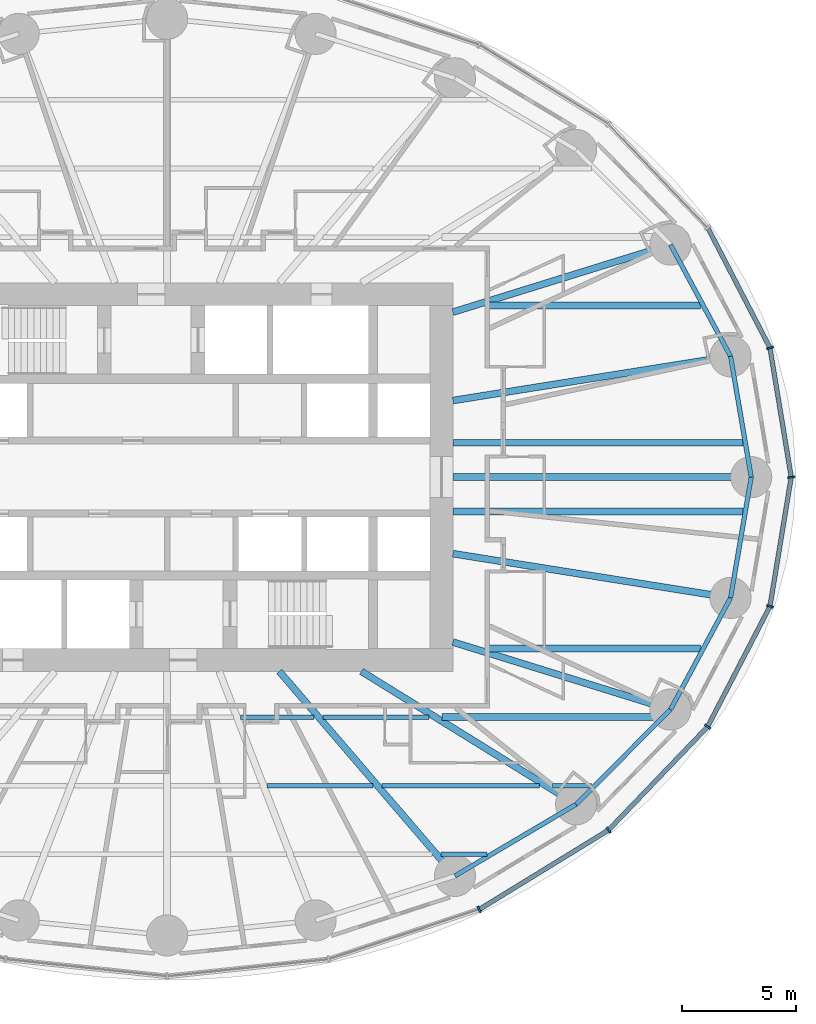
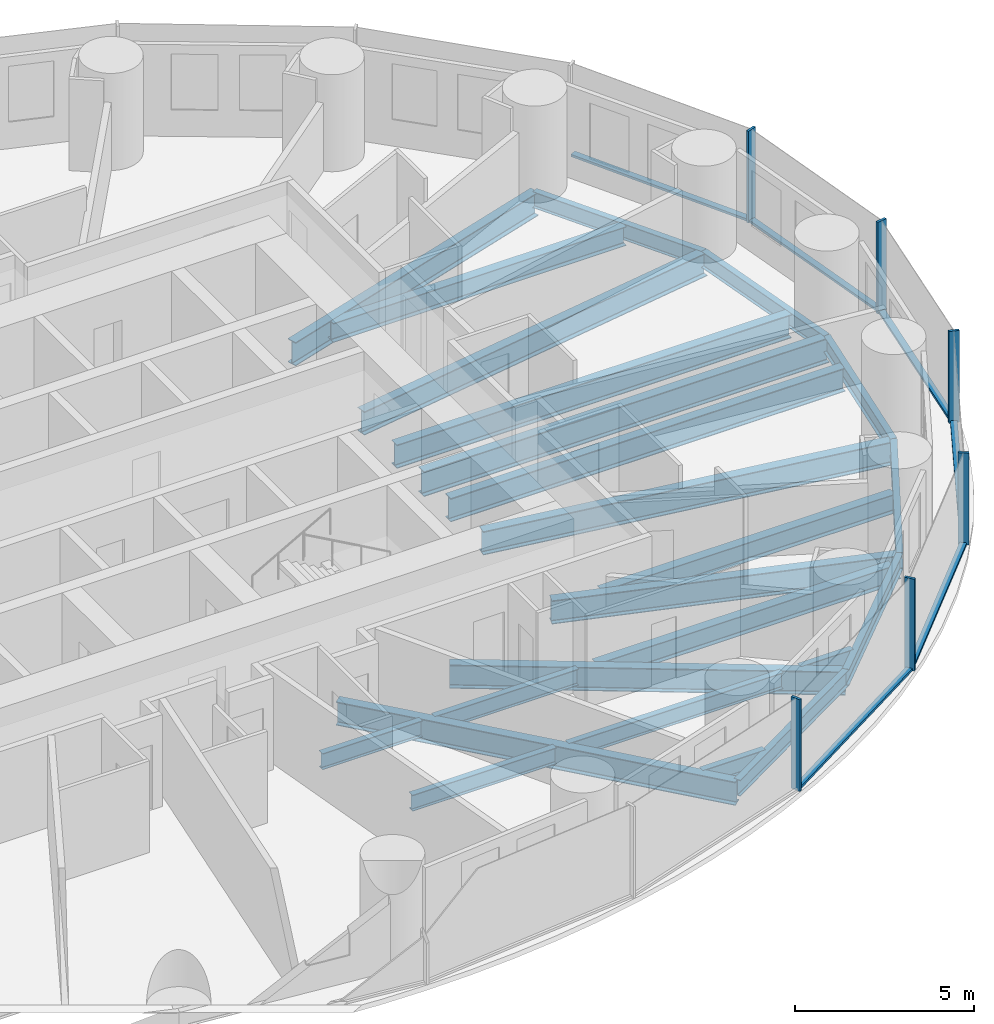
# One storey, part 3 of 14: 24 beams, 12 members, 2 elements without a shape of their own.
"""IFC4 building model written with IfcOpenShell, lengths in metres."""

from ifc_helpers import new_model, si_unit, direction, frame, origin, origin_2d, place, context, subcontext, project, spatial, rectangle, i_section, extrude, material, material_profile, profile_set, type_object, element, aggregate, save


model = new_model("IFC4")

# Units and contexts
model_context = context("Model", 3, precision=1e-05, world=origin(), true_north=direction((0.0, 1.0)))
body_context = subcontext(model_context, "Body", "Model", "MODEL_VIEW")
ifc_project = project(units=[si_unit("LENGTHUNIT", "METRE"), si_unit("AREAUNIT", "SQUARE_METRE"), si_unit("VOLUMEUNIT", "CUBIC_METRE"), si_unit("PLANEANGLEUNIT", "RADIAN"), si_unit("MASSUNIT", "GRAM", prefix="KILO")], contexts=[model_context])

# Site, building, storey
site_placement = place(None, origin())
site = spatial("IfcSite", under=ifc_project, at=site_placement, CompositionType="ELEMENT")
building_placement = place(site_placement, origin())
building = spatial("IfcBuilding", under=site, at=building_placement, Name="Hankou Lantern Tower", CompositionType="ELEMENT")
storey_placement = place(building_placement, frame((0.0, 0.0, 32.699951171875)))
storey = spatial("IfcBuildingStorey", under=building, at=storey_placement, Name="L06", CompositionType="ELEMENT", Elevation=32.699951171875)

# Beams
ifc_material_1 = material(Name="Steel Q355B", Category="steel")
ifc_material_profile_1 = material_profile(ifc_material_1, i_section(OverallWidth=0.199951171875, OverallDepth=0.550048828125, WebThickness=0.010009765625, FlangeThickness=0.01611328125, FilletRadius=0.012939453125, at=origin_2d()), Name="HN550x200x10x16")
ifc_profile_set_1 = profile_set([ifc_material_profile_1], Name="Steel Q355B")
beam_type_1 = type_object("IfcBeamType", Name="EB6 RING BEAM HN550x200x10x16", PredefinedType="SPANDREL", material=ifc_profile_set_1)
beam_1_placement = place(storey_placement, frame((25.550048828125, 0.0, -0.454833984375), z_axis=(-0.168489691988, 0.985703415685, 0.0), x_axis=(-0.985703415685, -0.168489691988, 0.0)))
element("IfcBeam", 1, at=beam_1_placement, inside=storey, type_object=beam_type_1, Name="Ring beam R01-R02 L06", PredefinedType="SPANDREL", context=body_context, shape_type="SweptSolid", body=[
    extrude(i_section(OverallWidth=0.199951171875, OverallDepth=0.550048828125, WebThickness=0.010009765625, FlangeThickness=0.01611328125, FilletRadius=0.012939453125, at=origin_2d()), origin(), (0.0, 0.0, 1.0), 5.35986328125),
])
beam_2_placement = place(storey_placement, frame((24.64697265625, 5.283203125, -0.454833984375), z_axis=(-0.473609096023, 0.880735161194, 0.0), x_axis=(-0.880735161194, -0.473609096023, 0.0)))
element("IfcBeam", 2, at=beam_2_placement, inside=storey, type_object=beam_type_1, Name="Ring beam R02-R03 L06", PredefinedType="SPANDREL", context=body_context, shape_type="SweptSolid", body=[
    extrude(i_section(OverallWidth=0.199951171875, OverallDepth=0.550048828125, WebThickness=0.010009765625, FlangeThickness=0.01611328125, FilletRadius=0.012939453125, at=origin_2d()), origin(), (0.0, 0.0, 1.0), 5.548828125),
])
beam_3_placement = place(storey_placement, frame((12.5908203125, -17.446533203125, -0.454833984375), z_axis=(0.860881533543, 0.508805449268, 0.0), x_axis=(-0.508805449268, 0.860881533543, 0.0)))
element("IfcBeam", 3, at=beam_3_placement, inside=storey, type_object=beam_type_1, Name="Ring beam R21-R22 L06", PredefinedType="SPANDREL", context=body_context, shape_type="SweptSolid", body=[
    extrude(i_section(OverallWidth=0.199951171875, OverallDepth=0.550048828125, WebThickness=0.010009765625, FlangeThickness=0.01611328125, FilletRadius=0.012939453125, at=origin_2d()), origin(), (0.0, 0.0, 1.0), 6.15771484375),
])
beam_4_placement = place(storey_placement, frame((17.891845703125, -14.3134765625, -0.454833984375), z_axis=(0.705727798394, 0.708483079949, 0.0), x_axis=(-0.708483079949, 0.705727798394, 0.0)))
element("IfcBeam", 4, at=beam_4_placement, inside=storey, type_object=beam_type_1, Name="Ring beam R22-R23 L06", PredefinedType="SPANDREL", context=body_context, shape_type="SweptSolid", body=[
    extrude(i_section(OverallWidth=0.199951171875, OverallDepth=0.550048828125, WebThickness=0.010009765625, FlangeThickness=0.01611328125, FilletRadius=0.012939453125, at=origin_2d()), origin(), (0.0, 0.0, 1.0), 5.84814453125),
])
beam_5_placement = place(storey_placement, frame((22.01904296875, -10.170166015625, -0.454833984375), z_axis=(0.473609096023, 0.880735161194, 0.0), x_axis=(-0.880735161194, 0.473609096023, 0.0)))
element("IfcBeam", 5, at=beam_5_placement, inside=storey, type_object=beam_type_1, Name="Ring beam R23-R24 L06", PredefinedType="SPANDREL", context=body_context, shape_type="SweptSolid", body=[
    extrude(i_section(OverallWidth=0.199951171875, OverallDepth=0.550048828125, WebThickness=0.010009765625, FlangeThickness=0.01611328125, FilletRadius=0.012939453125, at=origin_2d()), origin(), (0.0, 0.0, 1.0), 5.548828125),
])
beam_6_placement = place(storey_placement, frame((24.64697265625, -5.283203125, -0.454833984375), z_axis=(0.168489691988, 0.985703415685, 0.0), x_axis=(-0.985703415685, 0.168489691988, 0.0)))
element("IfcBeam", 6, at=beam_6_placement, inside=storey, type_object=beam_type_1, Name="Ring beam R24-R01 L06", PredefinedType="SPANDREL", context=body_context, shape_type="SweptSolid", body=[
    extrude(i_section(OverallWidth=0.199951171875, OverallDepth=0.550048828125, WebThickness=0.010009765625, FlangeThickness=0.01611328125, FilletRadius=0.012939453125, at=origin_2d()), origin(), (0.0, 0.0, 1.0), 5.35986328125),
])

# Curtain wall, members
ifc_material_2 = material(Name="Glass, dark grey tinted laminated", Category="glass")
curtain_wall_type = type_object("IfcCurtainWallType", Name="CWA OUTER SKIN LOW-RISE", PredefinedType="USERDEFINED", material=ifc_material_2)
curtain_wall_1_placement = place(storey_placement, origin())
curtain_wall_1 = element("IfcCurtainWall", 7, at=curtain_wall_1_placement, inside=storey, type_object=curtain_wall_type, Name="CWA L06 OS1", ObjectType="OUTER SKIN LOW-RISE", PredefinedType="USERDEFINED")
ifc_material_3 = material(Name="Aluminium, black anodised", Category="aluminium")
ifc_material_profile_2 = material_profile(ifc_material_3, rectangle(XDim=0.080078125, YDim=0.300048828125, at=origin_2d()), Name="MU1 80X300")
ifc_profile_set_2 = profile_set([ifc_material_profile_2], Name="Aluminium, black anodised")
member_type_1 = type_object("IfcMemberType", Name="MU1 OUTER SKIN MULLION 80X300", PredefinedType="MULLION", material=ifc_profile_set_2)
member_1_placement = place(storey_placement, frame((27.300048828125, 0.0, 0.0), z_axis=(0.0, 0.0, 1.0), x_axis=(-0.162381515188, 0.986728049427, 0.0)))
member_1 = element("IfcMember", 8, at=member_1_placement, type_object=member_type_1, Name="CWA mullion 1", PredefinedType="MULLION", context=body_context, shape_type="SweptSolid", body=[
    extrude(rectangle(XDim=0.080078125, YDim=0.300048828125, at=origin_2d()), origin(), (0.0, 0.0, 1.0), 3.1201171875),
])
member_2_placement = place(storey_placement, frame((26.369873046875, 5.652587890625, 0.0), z_axis=(0.0, 0.0, 1.0), x_axis=(-0.317595577365, 0.94822626479, 0.0)))
member_2 = element("IfcMember", 9, at=member_2_placement, type_object=member_type_1, Name="CWA mullion 2", PredefinedType="MULLION", context=body_context, shape_type="SweptSolid", body=[
    extrude(rectangle(XDim=0.080078125, YDim=0.300048828125, at=origin_2d()), origin(), (0.0, 0.0, 1.0), 3.1201171875),
])

curtain_wall_2_placement = place(storey_placement, origin())
curtain_wall_2 = element("IfcCurtainWall", 10, at=curtain_wall_2_placement, inside=storey, type_object=curtain_wall_type, Name="CWA L06 OS4", ObjectType="OUTER SKIN LOW-RISE", PredefinedType="USERDEFINED")
member_3_placement = place(storey_placement, frame((13.64990234375, -18.9140625, 0.0), z_axis=(0.0, 0.0, 1.0), x_axis=(0.907841299004, 0.419313934686, 0.0)))
member_3 = element("IfcMember", 11, at=member_3_placement, type_object=member_type_1, Name="CWA mullion 3", PredefinedType="MULLION", context=body_context, shape_type="SweptSolid", body=[
    extrude(rectangle(XDim=0.080078125, YDim=0.300048828125, at=origin_2d()), origin(), (0.0, 0.0, 1.0), 3.1201171875),
])
member_4_placement = place(storey_placement, frame((19.303955078125, -15.443115234375, 0.0), z_axis=(0.0, 0.0, 1.0), x_axis=(0.780868809444, 0.624695047553, 0.0)))
member_4 = element("IfcMember", 12, at=member_4_placement, type_object=member_type_1, Name="CWA mullion 4", PredefinedType="MULLION", context=body_context, shape_type="SweptSolid", body=[
    extrude(rectangle(XDim=0.080078125, YDim=0.300048828125, at=origin_2d()), origin(), (0.0, 0.0, 1.0), 3.1201171875),
])
member_5_placement = place(storey_placement, frame((23.642578125, -10.919921875, 0.0), z_axis=(0.0, 0.0, 1.0), x_axis=(0.585205735974, 0.810884854084, 0.0)))
member_5 = element("IfcMember", 13, at=member_5_placement, type_object=member_type_1, Name="CWA mullion 5", PredefinedType="MULLION", context=body_context, shape_type="SweptSolid", body=[
    extrude(rectangle(XDim=0.080078125, YDim=0.300048828125, at=origin_2d()), origin(), (0.0, 0.0, 1.0), 3.1201171875),
])
member_6_placement = place(storey_placement, frame((26.369873046875, -5.652587890625, 0.0), z_axis=(0.0, 0.0, 1.0), x_axis=(0.317595577365, 0.94822626479, 0.0)))
member_6 = element("IfcMember", 14, at=member_6_placement, type_object=member_type_1, Name="CWA mullion 6", PredefinedType="MULLION", context=body_context, shape_type="SweptSolid", body=[
    extrude(rectangle(XDim=0.080078125, YDim=0.300048828125, at=origin_2d()), origin(), (0.0, 0.0, 1.0), 3.1201171875),
])

# Beams
ifc_material_4 = material(Name="Steel Q355B", Category="steel")
ifc_material_profile_3 = material_profile(ifc_material_4, i_section(OverallWidth=0.300048828125, OverallDepth=0.800048828125, WebThickness=0.013916015625, FlangeThickness=0.02587890625, FilletRadius=0.01806640625, at=origin_2d()), Name="HN800x300x14x26")
ifc_profile_set_3 = profile_set([ifc_material_profile_3], Name="Steel Q355B")
beam_type_2 = type_object("IfcBeamType", Name="RB11 RADIAL BEAM HN800x300x14x26", PredefinedType="BEAM", material=ifc_profile_set_3)
beam_7_placement = place(storey_placement, frame((12.5, 3.349365234375, -0.579833984375), z_axis=(0.987563081343, 0.157223281893, 0.0), x_axis=(-0.157223281893, 0.987563081343, 0.0)))
element("IfcBeam", 15, at=beam_7_placement, inside=storey, type_object=beam_type_2, Name="Radial beam R02 L06", PredefinedType="BEAM", context=body_context, shape_type="SweptSolid", body=[
    extrude(i_section(OverallWidth=0.300048828125, OverallDepth=0.800048828125, WebThickness=0.013916015625, FlangeThickness=0.02587890625, FilletRadius=0.01806640625, at=origin_2d()), origin(), (0.0, 0.0, 1.0), 12.300048828125),
])
beam_8_placement = place(storey_placement, frame((12.5, 7.216796875, -0.579833984375), z_axis=(0.955087327755, 0.29632447817, 0.0), x_axis=(-0.29632447817, 0.955087327755, 0.0)))
element("IfcBeam", 16, at=beam_8_placement, inside=storey, type_object=beam_type_2, Name="Radial beam R03 L06", PredefinedType="BEAM", context=body_context, shape_type="SweptSolid", body=[
    extrude(i_section(OverallWidth=0.300048828125, OverallDepth=0.800048828125, WebThickness=0.013916015625, FlangeThickness=0.02587890625, FilletRadius=0.01806640625, at=origin_2d()), origin(), (0.0, 0.0, 1.0), 9.966552734375),
])
beam_9_placement = place(storey_placement, frame((4.907470703125, -8.5, -0.579833984375), z_axis=(0.651519061225, -0.758632264579, 0.0), x_axis=(0.758632264579, 0.651519061225, 0.0)))
element("IfcBeam", 17, at=beam_9_placement, inside=storey, type_object=beam_type_2, Name="Radial beam R21 L06", PredefinedType="BEAM", context=body_context, shape_type="SweptSolid", body=[
    extrude(i_section(OverallWidth=0.300048828125, OverallDepth=0.800048828125, WebThickness=0.013916015625, FlangeThickness=0.02587890625, FilletRadius=0.01806640625, at=origin_2d()), origin(), (0.0, 0.0, 1.0), 11.79296875),
])
beam_10_placement = place(storey_placement, frame((8.5, -8.5, -0.579833984375), z_axis=(0.850286343288, -0.526320372414, 0.0), x_axis=(0.526320372414, 0.850286343288, 0.0)))
element("IfcBeam", 18, at=beam_10_placement, inside=storey, type_object=beam_type_2, Name="Radial beam R22 L06", PredefinedType="BEAM", context=body_context, shape_type="SweptSolid", body=[
    extrude(i_section(OverallWidth=0.300048828125, OverallDepth=0.800048828125, WebThickness=0.013916015625, FlangeThickness=0.02587890625, FilletRadius=0.01806640625, at=origin_2d()), origin(), (0.0, 0.0, 1.0), 11.04541015625),
])
beam_11_placement = place(storey_placement, frame((12.5, -7.216796875, -0.579833984375), z_axis=(0.955087327755, -0.29632447817, 0.0), x_axis=(0.29632447817, 0.955087327755, 0.0)))
element("IfcBeam", 19, at=beam_11_placement, inside=storey, type_object=beam_type_2, Name="Radial beam R23 L06", PredefinedType="BEAM", context=body_context, shape_type="SweptSolid", body=[
    extrude(i_section(OverallWidth=0.300048828125, OverallDepth=0.800048828125, WebThickness=0.013916015625, FlangeThickness=0.02587890625, FilletRadius=0.01806640625, at=origin_2d()), origin(), (0.0, 0.0, 1.0), 9.966552734375),
])
beam_12_placement = place(storey_placement, frame((12.5, -3.349365234375, -0.579833984375), z_axis=(0.987563081343, -0.157223281893, 0.0), x_axis=(0.157223281893, 0.987563081343, 0.0)))
element("IfcBeam", 20, at=beam_12_placement, inside=storey, type_object=beam_type_2, Name="Radial beam R24 L06", PredefinedType="BEAM", context=body_context, shape_type="SweptSolid", body=[
    extrude(i_section(OverallWidth=0.300048828125, OverallDepth=0.800048828125, WebThickness=0.013916015625, FlangeThickness=0.02587890625, FilletRadius=0.01806640625, at=origin_2d()), origin(), (0.0, 0.0, 1.0), 12.300048828125),
])
ifc_material_5 = material(Name="Steel Q355B", Category="steel")
ifc_material_profile_4 = material_profile(ifc_material_5, i_section(OverallWidth=0.300048828125, OverallDepth=0.85009765625, WebThickness=0.01611328125, FlangeThickness=0.027099609375, FilletRadius=0.01806640625, at=origin_2d()), Name="HN850x300x16x27")
ifc_profile_set_4 = profile_set([ifc_material_profile_4], Name="Steel Q355B")
beam_type_3 = type_object("IfcBeamType", Name="RB12 RADIAL BEAM HN850x300x16x27", PredefinedType="BEAM", material=ifc_profile_set_4)
beam_13_placement = place(storey_placement, frame((12.5, 0.0, -0.60498046875), z_axis=(1.0, 0.0, 0.0), x_axis=(0.0, 1.0, 0.0)))
element("IfcBeam", 21, at=beam_13_placement, inside=storey, type_object=beam_type_3, Name="Radial beam R01 L06", PredefinedType="BEAM", context=body_context, shape_type="SweptSolid", body=[
    extrude(i_section(OverallWidth=0.300048828125, OverallDepth=0.85009765625, WebThickness=0.01611328125, FlangeThickness=0.027099609375, FilletRadius=0.01806640625, at=origin_2d()), origin(), (0.0, 0.0, 1.0), 13.050048828125),
])
ifc_material_6 = material(Name="Steel Q355B", Category="steel")
ifc_material_profile_5 = material_profile(ifc_material_6, i_section(OverallWidth=0.300048828125, OverallDepth=0.800048828125, WebThickness=0.013916015625, FlangeThickness=0.02587890625, FilletRadius=0.01806640625, at=origin_2d()), Name="HN800x300x14x26")
ifc_profile_set_5 = profile_set([ifc_material_profile_5], Name="Steel Q355B")
beam_type_4 = type_object("IfcBeamType", Name="SB11 SECONDARY BEAM HN800x300x14x26", PredefinedType="JOIST", material=ifc_profile_set_5)
for number, where, z_axis, x_axis, name in (
    (22, (12.5, -1.5, -0.579833984375), (1.0, 0.0, 0.0), (0.0, 1.0, 0.0), "Floor joist J030 L06"),
    (23, (12.5, 1.5, -0.579833984375), (1.0, 0.0, 0.0), (0.0, 1.0, 0.0), "Floor joist J032 L06"),
):
    element("IfcBeam", number, at=place(storey_placement, frame(where, z_axis=z_axis, x_axis=x_axis)), inside=storey, type_object=beam_type_4, Name=name, PredefinedType="JOIST", context=body_context, shape_type="SweptSolid", body=[
        extrude(i_section(OverallWidth=0.300048828125, OverallDepth=0.800048828125, WebThickness=0.013916015625, FlangeThickness=0.02587890625, FilletRadius=0.01806640625, at=origin_2d()), origin(), (0.0, 0.0, 1.0), 12.692138671875),
    ])
ifc_material_7 = material(Name="Steel Q355B", Category="steel")
ifc_material_profile_6 = material_profile(ifc_material_7, i_section(OverallWidth=0.199951171875, OverallDepth=0.550048828125, WebThickness=0.010009765625, FlangeThickness=0.01611328125, FilletRadius=0.012939453125, at=origin_2d()), Name="HN550x200x10x16")
ifc_profile_set_6 = profile_set([ifc_material_profile_6], Name="Steel Q355B")
beam_type_5 = type_object("IfcBeamType", Name="SB6 SECONDARY BEAM HN550x200x10x16", PredefinedType="JOIST", material=ifc_profile_set_6)
beam_14_placement = place(storey_placement, frame((11.975830078125, -16.5, -0.454833984375), z_axis=(1.0, 0.0, 0.0), x_axis=(0.0, 1.0, 0.0)))
element("IfcBeam", 24, at=beam_14_placement, inside=storey, type_object=beam_type_5, Name="Floor joist J006 L06", PredefinedType="JOIST", context=body_context, shape_type="SweptSolid", body=[
    extrude(i_section(OverallWidth=0.199951171875, OverallDepth=0.550048828125, WebThickness=0.010009765625, FlangeThickness=0.01611328125, FilletRadius=0.012939453125, at=origin_2d()), origin(), (0.0, 0.0, 1.0), 2.019775390625),
])
beam_15_placement = place(storey_placement, frame((4.37451171875, -13.5, -0.454833984375), z_axis=(1.0, 0.0, 0.0), x_axis=(0.0, 1.0, 0.0)))
element("IfcBeam", 25, at=beam_15_placement, inside=storey, type_object=beam_type_5, Name="Floor joist J012 L06", PredefinedType="JOIST", context=body_context, shape_type="SweptSolid", body=[
    extrude(i_section(OverallWidth=0.199951171875, OverallDepth=0.550048828125, WebThickness=0.010009765625, FlangeThickness=0.01611328125, FilletRadius=0.012939453125, at=origin_2d()), origin(), (0.0, 0.0, 1.0), 4.62939453125),
])
beam_16_placement = place(storey_placement, frame((9.3994140625, -13.5, -0.454833984375), z_axis=(1.0, 0.0, 0.0), x_axis=(0.0, 1.0, 0.0)))
element("IfcBeam", 26, at=beam_16_placement, inside=storey, type_object=beam_type_5, Name="Floor joist J013 L06", PredefinedType="JOIST", context=body_context, shape_type="SweptSolid", body=[
    extrude(i_section(OverallWidth=0.199951171875, OverallDepth=0.550048828125, WebThickness=0.010009765625, FlangeThickness=0.01611328125, FilletRadius=0.012939453125, at=origin_2d()), origin(), (0.0, 0.0, 1.0), 6.893310546875),
])
beam_17_placement = place(storey_placement, frame((16.86279296875, -13.5, -0.454833984375), z_axis=(1.0, 0.0, 0.0), x_axis=(0.0, 1.0, 0.0)))
element("IfcBeam", 27, at=beam_17_placement, inside=storey, type_object=beam_type_5, Name="Floor joist J014 L06", PredefinedType="JOIST", context=body_context, shape_type="SweptSolid", body=[
    extrude(i_section(OverallWidth=0.199951171875, OverallDepth=0.550048828125, WebThickness=0.010009765625, FlangeThickness=0.01611328125, FilletRadius=0.012939453125, at=origin_2d()), origin(), (0.0, 0.0, 1.0), 1.697998046875),
])
beam_18_placement = place(storey_placement, frame((3.212890625, -10.5, -0.454833984375), z_axis=(1.0, 0.0, 0.0), x_axis=(0.0, 1.0, 0.0)))
element("IfcBeam", 28, at=beam_18_placement, inside=storey, type_object=beam_type_5, Name="Floor joist J020 L06", PredefinedType="JOIST", context=body_context, shape_type="SweptSolid", body=[
    extrude(i_section(OverallWidth=0.199951171875, OverallDepth=0.550048828125, WebThickness=0.010009765625, FlangeThickness=0.01611328125, FilletRadius=0.012939453125, at=origin_2d()), origin(), (0.0, 0.0, 1.0), 3.214599609375),
])
beam_19_placement = place(storey_placement, frame((6.82275390625, -10.5, -0.454833984375), z_axis=(1.0, 0.0, 0.0), x_axis=(0.0, 1.0, 0.0)))
element("IfcBeam", 29, at=beam_19_placement, inside=storey, type_object=beam_type_5, Name="Floor joist J021 L06", PredefinedType="JOIST", context=body_context, shape_type="SweptSolid", body=[
    extrude(i_section(OverallWidth=0.199951171875, OverallDepth=0.550048828125, WebThickness=0.010009765625, FlangeThickness=0.01611328125, FilletRadius=0.012939453125, at=origin_2d()), origin(), (0.0, 0.0, 1.0), 4.623291015625),
])
ifc_material_8 = material(Name="Steel Q355B", Category="steel")
ifc_material_profile_7 = material_profile(ifc_material_8, i_section(OverallWidth=0.300048828125, OverallDepth=0.64990234375, WebThickness=0.010986328125, FlangeThickness=0.01708984375, FilletRadius=0.01806640625, at=origin_2d()), Name="HN650x300x11x17")
ifc_profile_set_7 = profile_set([ifc_material_profile_7], Name="Steel Q355B")
beam_type_6 = type_object("IfcBeamType", Name="SB8 SECONDARY BEAM HN650x300x11x17", PredefinedType="JOIST", material=ifc_profile_set_7)
beam_20_placement = place(storey_placement, frame((12.01611328125, -10.5, -0.5048828125), z_axis=(1.0, 0.0, 0.0), x_axis=(0.0, 1.0, 0.0)))
element("IfcBeam", 30, at=beam_20_placement, inside=storey, type_object=beam_type_6, Name="Floor joist J022 L06", PredefinedType="JOIST", context=body_context, shape_type="SweptSolid", body=[
    extrude(i_section(OverallWidth=0.300048828125, OverallDepth=0.64990234375, WebThickness=0.010986328125, FlangeThickness=0.01708984375, FilletRadius=0.01806640625, at=origin_2d()), origin(), (0.0, 0.0, 1.0), 9.533203125),
])
for number, where, z_axis, x_axis, name in (
    (31, (13.918701171875, -7.5, -0.5048828125), (1.0, 0.0, 0.0), (0.0, 1.0, 0.0), "Floor joist J024 L06"),
    (32, (13.918701171875, 7.5, -0.5048828125), (1.0, 0.0, 0.0), (0.0, 1.0, 0.0), "Floor joist J038 L06"),
):
    element("IfcBeam", number, at=place(storey_placement, frame(where, z_axis=z_axis, x_axis=x_axis)), inside=storey, type_object=beam_type_6, Name=name, PredefinedType="JOIST", context=body_context, shape_type="SweptSolid", body=[
        extrude(i_section(OverallWidth=0.300048828125, OverallDepth=0.64990234375, WebThickness=0.010986328125, FlangeThickness=0.01708984375, FilletRadius=0.01806640625, at=origin_2d()), origin(), (0.0, 0.0, 1.0), 9.4228515625),
    ])

# Member
ifc_material_9 = material(Name="Aluminium, black anodised", Category="aluminium")
ifc_material_profile_8 = material_profile(ifc_material_9, rectangle(XDim=0.199951171875, YDim=0.080078125, at=origin_2d()), Name="TR1 200X80")
ifc_profile_set_8 = profile_set([ifc_material_profile_8], Name="Aluminium, black anodised")
member_type_2 = type_object("IfcMemberType", Name="TR1 OUTER SKIN TRANSOM 200X80", PredefinedType="USERDEFINED", material=ifc_profile_set_8)
member_7_placement = place(storey_placement, frame((27.29345703125, 0.03955078125, 0.0400390625), z_axis=(-0.162387045529, 0.986727139307, 0.0), x_axis=(-0.986727139307, -0.162387045529, 0.0)))
member_7 = element("IfcMember", 33, at=member_7_placement, type_object=member_type_2, Name="CWA transom 1", ObjectType="TRANSOM", PredefinedType="USERDEFINED", context=body_context, shape_type="SweptSolid", body=[
    extrude(rectangle(XDim=0.199951171875, YDim=0.080078125, at=origin_2d()), origin(), (0.0, 0.0, 1.0), 5.6484375),
])

member_8_placement = place(storey_placement, frame((26.351318359375, 5.688232421875, 0.0400390625), z_axis=(-0.459786096495, 0.888029698529, 0.0), x_axis=(-0.888029698529, -0.459786096495, 0.0)))
member_8 = element("IfcMember", 34, at=member_8_placement, type_object=member_type_2, Name="CWA transom 2", ObjectType="TRANSOM", PredefinedType="USERDEFINED", context=body_context, shape_type="SweptSolid", body=[
    extrude(rectangle(XDim=0.199951171875, YDim=0.080078125, at=origin_2d()), origin(), (0.0, 0.0, 1.0), 5.8515625),
])

aggregate(curtain_wall_1, [member_1, member_2, member_7, member_8])

member_9_placement = place(storey_placement, frame((13.68408203125, -18.89306640625, 0.0400390625), z_axis=(0.85223969557, 0.523151508929, 0.0), x_axis=(-0.523151508929, 0.85223969557, 0.0)))
member_9 = element("IfcMember", 35, at=member_9_placement, type_object=member_type_2, Name="CWA transom 3", ObjectType="TRANSOM", PredefinedType="USERDEFINED", context=body_context, shape_type="SweptSolid", body=[
    extrude(rectangle(XDim=0.199951171875, YDim=0.080078125, at=origin_2d()), origin(), (0.0, 0.0, 1.0), 6.554443359375),
])

member_10_placement = place(storey_placement, frame((19.331787109375, -15.414306640625, 0.0400390625), z_axis=(0.692215537374, 0.721690827029, 0.0), x_axis=(-0.721690827029, 0.692215537374, 0.0)))
member_10 = element("IfcMember", 36, at=member_10_placement, type_object=member_type_2, Name="CWA transom 4", ObjectType="TRANSOM", PredefinedType="USERDEFINED", context=body_context, shape_type="SweptSolid", body=[
    extrude(rectangle(XDim=0.199951171875, YDim=0.080078125, at=origin_2d()), origin(), (0.0, 0.0, 1.0), 6.187255859375),
])

member_11_placement = place(storey_placement, frame((23.660888671875, -10.884521484375, 0.0400390625), z_axis=(0.459786096495, 0.888029698529, 0.0), x_axis=(-0.888029698529, 0.459786096495, 0.0)))
member_11 = element("IfcMember", 37, at=member_11_placement, type_object=member_type_2, Name="CWA transom 5", ObjectType="TRANSOM", PredefinedType="USERDEFINED", context=body_context, shape_type="SweptSolid", body=[
    extrude(rectangle(XDim=0.199951171875, YDim=0.080078125, at=origin_2d()), origin(), (0.0, 0.0, 1.0), 5.8515625),
])

member_12_placement = place(storey_placement, frame((26.376220703125, -5.613037109375, 0.0400390625), z_axis=(0.162387045529, 0.986727139307, 0.0), x_axis=(-0.986727139307, 0.162387045529, 0.0)))
member_12 = element("IfcMember", 38, at=member_12_placement, type_object=member_type_2, Name="CWA transom 6", ObjectType="TRANSOM", PredefinedType="USERDEFINED", context=body_context, shape_type="SweptSolid", body=[
    extrude(rectangle(XDim=0.199951171875, YDim=0.080078125, at=origin_2d()), origin(), (0.0, 0.0, 1.0), 5.6484375),
])

aggregate(curtain_wall_2, [member_3, member_4, member_5, member_6, member_9, member_10, member_11, member_12])

save(model, "model.ifc")
